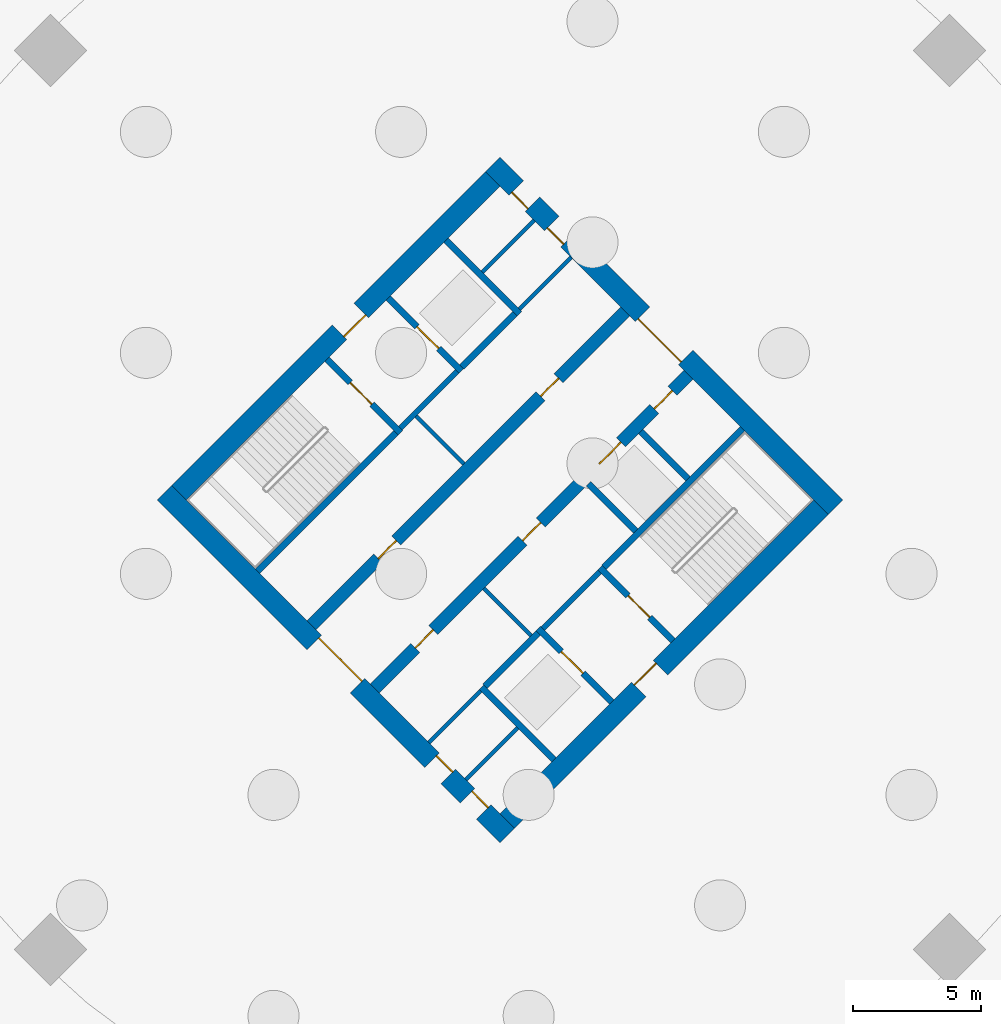
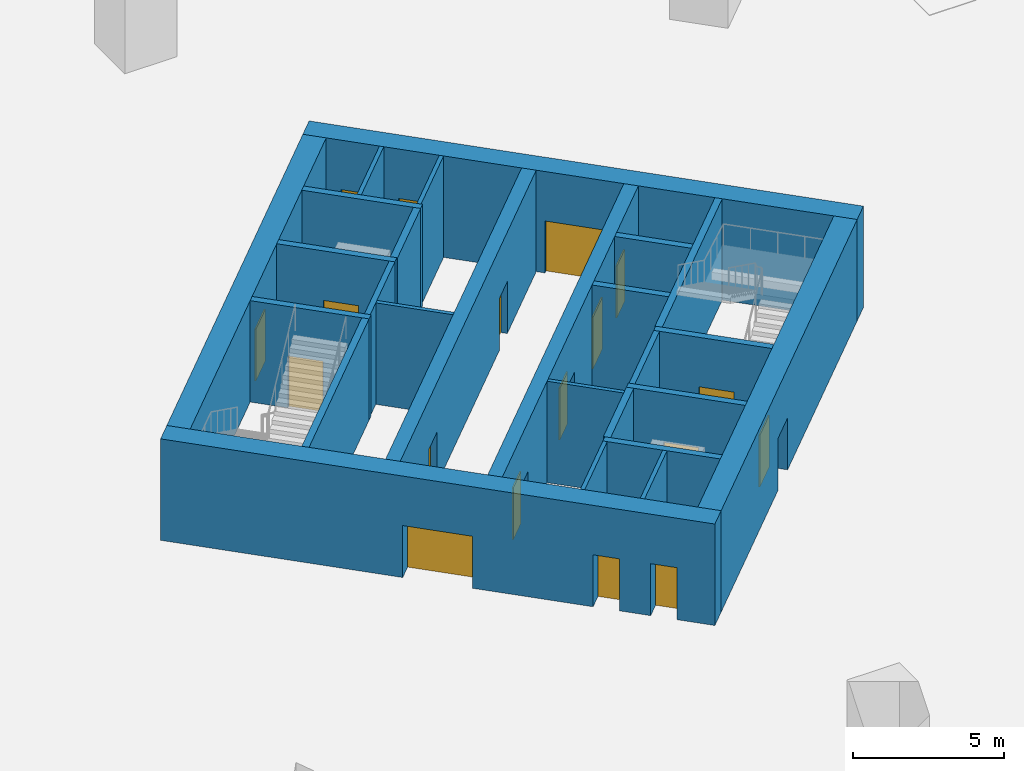
# One storey, part 18 of 39: 26 walls, 18 doors, 18 openings.
"""IFC4 building model written with IfcOpenShell, lengths in metres."""

from ifc_helpers import new_model, si_unit, direction, frame, frame_2d, origin, place, context, subcontext, project, spatial, rectangle, extrude, material, layer, layer_set, type_object, element, fill, save


model = new_model("IFC4")

# Units and contexts
model_context = context("Model", 3, precision=1e-05, world=origin(), true_north=direction((0.0, 1.0)))
body_context = subcontext(model_context, "Body", "Model", "MODEL_VIEW")
ifc_project = project(units=[si_unit("LENGTHUNIT", "METRE"), si_unit("AREAUNIT", "SQUARE_METRE"), si_unit("VOLUMEUNIT", "CUBIC_METRE"), si_unit("PLANEANGLEUNIT", "RADIAN"), si_unit("MASSUNIT", "GRAM", prefix="KILO")], contexts=[model_context])

# Site, building, storey
site_placement = place(None, origin())
site = spatial("IfcSite", under=ifc_project, at=site_placement, CompositionType="ELEMENT")
building_placement = place(site_placement, origin())
building = spatial("IfcBuilding", under=site, at=building_placement, Name="Ogive Gate Towers", CompositionType="ELEMENT")
storey_placement = place(building_placement, frame((0.0, 0.0, -9.0)))
storey = spatial("IfcBuildingStorey", under=building, at=storey_placement, Name="B2", CompositionType="ELEMENT", Elevation=-9.0)

# Walls
ifc_material_1 = material(Name="Masonry blockwork", Category="masonry")
ifc_layer_1 = layer(ifc_material_1, 0.199951171875)
ifc_layer_set_1 = layer_set([ifc_layer_1], Name="Blockwork wall 200 mm")
wall_type_1 = type_object("IfcWallType", Name="Blockwork wall 200 mm", PredefinedType="PARTITIONING", material=ifc_layer_set_1)
for number, where, z_axis, x_axis, name in (
    (1, (37.679443359375, -5.0380859375, 0.0), (0.0, 0.0, 1.0), (0.707106781187, 0.707106781187, 0.0), "T2 B2 Blockwork wall 200 mm"),
    (2, (32.09326171875, 2.810791015625, 0.0), (0.0, 0.0, 1.0), (0.707106781187, 0.707106781187, 0.0), "T2 B2 Blockwork wall 200 mm"),
):
    element("IfcWall", number, at=place(storey_placement, frame(where, z_axis=z_axis, x_axis=x_axis)), inside=storey, type_object=wall_type_1, Name=name, PredefinedType="PARTITIONING", context=body_context, shape_type="SweptSolid", body=[
        extrude(rectangle(XDim=3.14990234375, YDim=0.199951171875, at=frame_2d((1.574951171875, 0.0))), origin(), (0.0, 0.0, 1.0), 4.10009765625),
    ])

# Wall, opening, door
ifc_material_2 = material(Name="Concrete C60/75", Category="concrete")
ifc_layer_2 = layer(ifc_material_2, 0.800048828125)
ifc_layer_set_2 = layer_set([ifc_layer_2], Name="Core wall 800 mm")
wall_type_2 = type_object("IfcWallType", Name="Core wall 800 mm", PredefinedType="SHEAR", material=ifc_layer_set_2)
wall_1_placement = place(storey_placement, frame((36.28271484375, -12.58642578125, 0.0), z_axis=(0.0, 0.0, 1.0), x_axis=(0.707106781187, 0.707106781187, 0.0)))
wall_1 = element("IfcWall", 3, at=wall_1_placement, inside=storey, type_object=wall_type_2, Name="T2 B2 Core wall 800 mm", PredefinedType="SHEAR", context=body_context, shape_type="SweptSolid", body=[
    extrude(rectangle(XDim=17.400146484375, YDim=0.800048828125, at=frame_2d((8.7001953125, 0.0))), origin(), (0.0, 0.0, 1.0), 4.10009765625),
])
opening_1_placement = place(wall_1_placement, frame((7.300048828125, 0.0, 0.0)))
opening_1 = element("IfcOpeningElement", 4, at=opening_1_placement, cuts=wall_1, Name="Opening KD-T2-B2-14", PredefinedType="OPENING", context=body_context, shape_type="SweptSolid", body=[
    extrude(rectangle(XDim=1.199951171875, YDim=2.10009765625, at=frame_2d((0.60009765625, 1.050048828125))), frame((0.0, 0.41015625, 0.0), z_axis=(0.0, -1.0, 0.0), x_axis=(1.0, 0.0, 0.0)), (0.0, 0.0, 1.0), 0.820068359375),
])
ifc_material_3 = material(Name="Steel fire door", Category="steel")
door_type_1 = type_object("IfcDoorType", Name="Core door FD60S 1200 x 2100", OperationType="NOTDEFINED", PredefinedType="DOOR", material=ifc_material_3)
door_1_placement = place(opening_1_placement, origin())
door_1 = element("IfcDoor", 5, at=door_1_placement, inside=storey, type_object=door_type_1, Name="T2 B2 Fire-fighting lobby door", OperationType="SINGLE_SWING_LEFT", OverallHeight=2.10009765625, OverallWidth=1.199951171875, PredefinedType="DOOR", context=body_context, shape_type="SweptSolid", body=[
    extrude(rectangle(XDim=1.199951171875, YDim=2.10009765625, at=frame_2d((0.60009765625, 1.050048828125))), frame((0.0, 0.27490234375, 0.0), z_axis=(0.0, -1.0, 0.0), x_axis=(1.0, 0.0, 0.0)), (0.0, 0.0, 1.0), 0.050048828125),
])
fill(opening_1, door_1)

wall_2_placement = place(storey_placement, frame((23.41357421875, 0.28271484375, 0.0), z_axis=(0.0, 0.0, 1.0), x_axis=(0.707106781187, 0.707106781187, 0.0)))
wall_2 = element("IfcWall", 6, at=wall_2_placement, inside=storey, type_object=wall_type_2, Name="T2 B2 Core wall 800 mm", PredefinedType="SHEAR", context=body_context, shape_type="SweptSolid", body=[
    extrude(rectangle(XDim=17.400146484375, YDim=0.800048828125, at=frame_2d((8.7001953125, 0.0))), origin(), (0.0, 0.0, 1.0), 4.10009765625),
])
opening_2_placement = place(wall_2_placement, frame((8.89990234375, 0.0, 0.0)))
opening_2 = element("IfcOpeningElement", 7, at=opening_2_placement, cuts=wall_2, Name="Opening KD-T2-B2-13", PredefinedType="OPENING", context=body_context, shape_type="SweptSolid", body=[
    extrude(rectangle(XDim=1.199951171875, YDim=2.10009765625, at=frame_2d((0.60009765625, 1.050048828125))), frame((0.0, 0.41015625, 0.0), z_axis=(0.0, -1.0, 0.0), x_axis=(1.0, 0.0, 0.0)), (0.0, 0.0, 1.0), 0.820068359375),
])
door_2_placement = place(opening_2_placement, origin())
door_2 = element("IfcDoor", 8, at=door_2_placement, inside=storey, type_object=door_type_1, Name="T2 B2 Fire-fighting lobby door", OperationType="SINGLE_SWING_RIGHT", OverallHeight=2.10009765625, OverallWidth=1.199951171875, PredefinedType="DOOR", context=body_context, shape_type="SweptSolid", body=[
    extrude(rectangle(XDim=1.199951171875, YDim=2.10009765625, at=frame_2d((0.60009765625, 1.050048828125))), frame((0.0, -0.22509765625, 0.0), z_axis=(0.0, -1.0, 0.0), x_axis=(1.0, 0.0, 0.0)), (0.0, 0.0, 1.0), 0.050048828125),
])
fill(opening_2, door_2)

# Wall, openings, doors
wall_3_placement = place(storey_placement, frame((36.28271484375, -13.152099609375, 0.0), z_axis=(0.0, 0.0, 1.0), x_axis=(-0.707106781187, 0.707106781187, 0.0)))
wall_3 = element("IfcWall", 9, at=wall_3_placement, inside=storey, type_object=wall_type_2, Name="T2 B2 Core wall 800 mm", PredefinedType="SHEAR", context=body_context, shape_type="SweptSolid", body=[
    extrude(rectangle(XDim=18.999755859375, YDim=0.800048828125, at=frame_2d((9.5, 0.0))), origin(), (0.0, 0.0, 1.0), 4.10009765625),
])
opening_3_placement = place(wall_3_placement, frame((8.300048828125, 0.0, 0.0)))
opening_3 = element("IfcOpeningElement", 10, at=opening_3_placement, cuts=wall_3, Name="Opening KD-T2-B2-01", PredefinedType="OPENING", context=body_context, shape_type="SweptSolid", body=[
    extrude(rectangle(XDim=2.39990234375, YDim=2.10009765625, at=frame_2d((1.199951171875, 1.050048828125))), frame((0.0, 0.41015625, 0.0), z_axis=(0.0, -1.0, 0.0), x_axis=(1.0, 0.0, 0.0)), (0.0, 0.0, 1.0), 0.820068359375),
])
opening_4_placement = place(wall_3_placement, frame((1.300048828125, 0.0, 0.0)))
opening_4 = element("IfcOpeningElement", 11, at=opening_4_placement, cuts=wall_3, Name="Opening KD-T2-B2-17", PredefinedType="OPENING", context=body_context, shape_type="SweptSolid", body=[
    extrude(rectangle(XDim=0.89990234375, YDim=2.10009765625, at=frame_2d((0.449951171875, 1.050048828125))), frame((0.0, 0.41015625, 0.0), z_axis=(0.0, -1.0, 0.0), x_axis=(1.0, 0.0, 0.0)), (0.0, 0.0, 1.0), 0.820068359375),
])
opening_5_placement = place(wall_3_placement, frame((3.27490234375, 0.0, 0.0)))
opening_5 = element("IfcOpeningElement", 12, at=opening_5_placement, cuts=wall_3, Name="Opening KD-T2-B2-18", PredefinedType="OPENING", context=body_context, shape_type="SweptSolid", body=[
    extrude(rectangle(XDim=0.89990234375, YDim=2.10009765625, at=frame_2d((0.449951171875, 1.050048828125))), frame((0.0, 0.41015625, 0.0), z_axis=(0.0, -1.0, 0.0), x_axis=(1.0, 0.0, 0.0)), (0.0, 0.0, 1.0), 0.820068359375),
])
door_type_2 = type_object("IfcDoorType", Name="Core door FD60S 900 x 2100", OperationType="NOTDEFINED", PredefinedType="DOOR", material=ifc_material_3)
door_3_placement = place(opening_4_placement, origin())
door_3 = element("IfcDoor", 13, at=door_3_placement, inside=storey, type_object=door_type_2, Name="T2 B2 Core door", OperationType="SINGLE_SWING_RIGHT", OverallHeight=2.10009765625, OverallWidth=0.89990234375, PredefinedType="DOOR", context=body_context, shape_type="SweptSolid", body=[
    extrude(rectangle(XDim=0.89990234375, YDim=2.10009765625, at=frame_2d((0.449951171875, 1.050048828125))), frame((0.0, -0.22509765625, 0.0), z_axis=(0.0, -1.0, 0.0), x_axis=(1.0, 0.0, 0.0)), (0.0, 0.0, 1.0), 0.050048828125),
])
fill(opening_4, door_3)
door_4_placement = place(opening_5_placement, origin())
door_4 = element("IfcDoor", 14, at=door_4_placement, inside=storey, type_object=door_type_2, Name="T2 B2 Core door", OperationType="SINGLE_SWING_LEFT", OverallHeight=2.10009765625, OverallWidth=0.89990234375, PredefinedType="DOOR", context=body_context, shape_type="SweptSolid", body=[
    extrude(rectangle(XDim=0.89990234375, YDim=2.10009765625, at=frame_2d((0.449951171875, 1.050048828125))), frame((0.0, -0.22509765625, 0.0), z_axis=(0.0, -1.0, 0.0), x_axis=(1.0, 0.0, 0.0)), (0.0, 0.0, 1.0), 0.050048828125),
])
fill(opening_5, door_4)
door_type_3 = type_object("IfcDoorType", Name="Core double door FD60S 2400 x 2100", OperationType="DOUBLE_DOOR_SINGLE_SWING", PredefinedType="DOOR", material=ifc_material_3)
door_5_placement = place(opening_3_placement, origin())
door_5 = element("IfcDoor", 15, at=door_5_placement, inside=storey, type_object=door_type_3, Name="T2 B2 Core door double", OperationType="DOUBLE_DOOR_SINGLE_SWING", OverallHeight=2.10009765625, OverallWidth=2.39990234375, PredefinedType="DOOR", context=body_context, shape_type="SweptSolid", body=[
    extrude(rectangle(XDim=2.39990234375, YDim=2.10009765625, at=frame_2d((1.199951171875, 1.050048828125))), frame((0.0, -0.22509765625, 0.0), z_axis=(0.0, -1.0, 0.0), x_axis=(1.0, 0.0, 0.0)), (0.0, 0.0, 1.0), 0.050048828125),
])
fill(opening_3, door_5)

wall_4_placement = place(storey_placement, frame((49.152099609375, -0.28271484375, 0.0), z_axis=(0.0, 0.0, 1.0), x_axis=(-0.707106781187, 0.707106781187, 0.0)))
wall_4 = element("IfcWall", 16, at=wall_4_placement, inside=storey, type_object=wall_type_2, Name="T2 B2 Core wall 800 mm", PredefinedType="SHEAR", context=body_context, shape_type="SweptSolid", body=[
    extrude(rectangle(XDim=18.999755859375, YDim=0.800048828125, at=frame_2d((9.5, 0.0))), origin(), (0.0, 0.0, 1.0), 4.10009765625),
])
opening_6_placement = place(wall_4_placement, frame((8.300048828125, 0.0, 0.0)))
opening_6 = element("IfcOpeningElement", 17, at=opening_6_placement, cuts=wall_4, Name="Opening KD-T2-B2-02", PredefinedType="OPENING", context=body_context, shape_type="SweptSolid", body=[
    extrude(rectangle(XDim=2.39990234375, YDim=2.10009765625, at=frame_2d((1.199951171875, 1.050048828125))), frame((0.0, 0.41015625, 0.0), z_axis=(0.0, -1.0, 0.0), x_axis=(1.0, 0.0, 0.0)), (0.0, 0.0, 1.0), 0.820068359375),
])
opening_7_placement = place(wall_4_placement, frame((14.824951171875, 0.0, 0.0)))
opening_7 = element("IfcOpeningElement", 18, at=opening_7_placement, cuts=wall_4, Name="Opening KD-T2-B2-15", PredefinedType="OPENING", context=body_context, shape_type="SweptSolid", body=[
    extrude(rectangle(XDim=0.89990234375, YDim=2.10009765625, at=frame_2d((0.449951171875, 1.050048828125))), frame((0.0, 0.41015625, 0.0), z_axis=(0.0, -1.0, 0.0), x_axis=(1.0, 0.0, 0.0)), (0.0, 0.0, 1.0), 0.820068359375),
])
opening_8_placement = place(wall_4_placement, frame((16.800048828125, 0.0, 0.0)))
opening_8 = element("IfcOpeningElement", 19, at=opening_8_placement, cuts=wall_4, Name="Opening KD-T2-B2-16", PredefinedType="OPENING", context=body_context, shape_type="SweptSolid", body=[
    extrude(rectangle(XDim=0.89990234375, YDim=2.10009765625, at=frame_2d((0.449951171875, 1.050048828125))), frame((0.0, 0.41015625, 0.0), z_axis=(0.0, -1.0, 0.0), x_axis=(1.0, 0.0, 0.0)), (0.0, 0.0, 1.0), 0.820068359375),
])
door_6_placement = place(opening_7_placement, origin())
door_6 = element("IfcDoor", 20, at=door_6_placement, inside=storey, type_object=door_type_2, Name="T2 B2 Core door", OperationType="SINGLE_SWING_RIGHT", OverallHeight=2.10009765625, OverallWidth=0.89990234375, PredefinedType="DOOR", context=body_context, shape_type="SweptSolid", body=[
    extrude(rectangle(XDim=0.89990234375, YDim=2.10009765625, at=frame_2d((0.449951171875, 1.050048828125))), frame((0.0, 0.27490234375, 0.0), z_axis=(0.0, -1.0, 0.0), x_axis=(1.0, 0.0, 0.0)), (0.0, 0.0, 1.0), 0.050048828125),
])
fill(opening_7, door_6)
door_7_placement = place(opening_8_placement, origin())
door_7 = element("IfcDoor", 21, at=door_7_placement, inside=storey, type_object=door_type_2, Name="T2 B2 Core door", OperationType="SINGLE_SWING_LEFT", OverallHeight=2.10009765625, OverallWidth=0.89990234375, PredefinedType="DOOR", context=body_context, shape_type="SweptSolid", body=[
    extrude(rectangle(XDim=0.89990234375, YDim=2.10009765625, at=frame_2d((0.449951171875, 1.050048828125))), frame((0.0, 0.27490234375, 0.0), z_axis=(0.0, -1.0, 0.0), x_axis=(1.0, 0.0, 0.0)), (0.0, 0.0, 1.0), 0.050048828125),
])
fill(opening_8, door_7)
door_8_placement = place(opening_6_placement, origin())
door_8 = element("IfcDoor", 22, at=door_8_placement, inside=storey, type_object=door_type_3, Name="T2 B2 Core door double", OperationType="DOUBLE_DOOR_SINGLE_SWING", OverallHeight=2.10009765625, OverallWidth=2.39990234375, PredefinedType="DOOR", context=body_context, shape_type="SweptSolid", body=[
    extrude(rectangle(XDim=2.39990234375, YDim=2.10009765625, at=frame_2d((1.199951171875, 1.050048828125))), frame((0.0, 0.27490234375, 0.0), z_axis=(0.0, -1.0, 0.0), x_axis=(1.0, 0.0, 0.0)), (0.0, 0.0, 1.0), 0.050048828125),
])
fill(opening_6, door_8)

# Walls
ifc_material_4 = material(Name="Gypsum board partition")
ifc_layer_3 = layer(ifc_material_4, 0.14990234375)
ifc_layer_set_3 = layer_set([ifc_layer_3], Name="Room partition 150 mm")
wall_type_3 = type_object("IfcWallType", Name="Room partition 150 mm", PredefinedType="PARTITIONING", material=ifc_layer_set_3)
for number, where, z_axis, x_axis, name in (
    (23, (34.656494140625, -10.960205078125, 0.0), (0.0, 0.0, 1.0), (0.707106781187, 0.707106781187, 0.0), "T2 B2 Room partition 150 mm"),
    (24, (33.206787109375, -9.510498046875, 0.0), (0.0, 0.0, 1.0), (0.707191693438, 0.707021858737, 0.0), "T2 B2 Room partition 150 mm"),
    (25, (36.760009765625, 7.477783203125, 0.0), (0.0, 0.0, 1.0), (0.707191693438, 0.707021858737, 0.0), "T2 B2 Room partition 150 mm"),
    (26, (35.310546875, 8.92724609375, 0.0), (0.0, 0.0, 1.0), (0.707106781187, 0.707106781187, 0.0), "T2 B2 Room partition 150 mm"),
):
    element("IfcWall", number, at=place(storey_placement, frame(where, z_axis=z_axis, x_axis=x_axis)), inside=storey, type_object=wall_type_3, Name=name, PredefinedType="PARTITIONING", context=body_context, shape_type="SweptSolid", body=[
        extrude(rectangle(XDim=2.875, YDim=0.14990234375, at=frame_2d((1.4375, 0.0))), origin(), (0.0, 0.0, 1.0), 4.10009765625),
    ])
wall_5_placement = place(storey_placement, frame((37.2197265625, -5.321044921875, 0.0), z_axis=(0.0, 0.0, 1.0), x_axis=(-0.707106781187, 0.707106781187, 0.0)))
element("IfcWall", 27, at=wall_5_placement, inside=storey, type_object=wall_type_3, Name="T2 B2 Room partition 150 mm", PredefinedType="PARTITIONING", context=body_context, shape_type="SweptSolid", body=[
    extrude(rectangle(XDim=2.625, YDim=0.14990234375, at=frame_2d((1.3125, 0.0))), origin(), (0.0, 0.0, 1.0), 4.10009765625),
])
wall_6_placement = place(storey_placement, frame((34.585693359375, 1.414306640625, 0.0), z_axis=(0.0, 0.0, 1.0), x_axis=(-0.707106781187, 0.707106781187, 0.0)))
element("IfcWall", 28, at=wall_6_placement, inside=storey, type_object=wall_type_3, Name="T2 B2 Room partition 150 mm", PredefinedType="PARTITIONING", context=body_context, shape_type="SweptSolid", body=[
    extrude(rectangle(XDim=2.64990234375, YDim=0.14990234375, at=frame_2d((1.324951171875, 0.0))), origin(), (0.0, 0.0, 1.0), 4.10009765625),
])
ifc_layer_4 = layer(ifc_material_2, 0.25)
ifc_layer_set_4 = layer_set([ifc_layer_4], Name="Shaft wall 250 mm")
wall_type_4 = type_object("IfcWallType", Name="Shaft wall 250 mm", PredefinedType="SHEAR", material=ifc_layer_set_4)
wall_7_placement = place(storey_placement, frame((35.41650390625, -7.30078125, 0.0), z_axis=(0.0, 0.0, 1.0), x_axis=(0.707148157867, 0.707065402085, 0.0)))
element("IfcWall", 29, at=wall_7_placement, inside=storey, type_object=wall_type_4, Name="T2 B2 Shaft wall 250 mm", PredefinedType="SHEAR", context=body_context, shape_type="SweptSolid", body=[
    extrude(rectangle(XDim=2.9501953125, YDim=0.25, at=frame_2d((1.47509765625, 0.0))), origin(), (0.0, 0.0, 1.0), 4.10009765625),
])
for number, where, z_axis, x_axis, name in (
    (30, (40.08349609375, -2.634033203125, 0.0), (0.0, 0.0, 1.0), (0.707090876314, 0.707122685701, 0.0), "T2 B2 Shaft wall 250 mm"),
    (31, (26.489501953125, -2.793212890625, 0.0), (0.0, 0.0, 1.0), (0.707090876314, 0.707122685701, 0.0), "T2 B2 Shaft wall 250 mm"),
):
    element("IfcWall", number, at=place(storey_placement, frame(where, z_axis=z_axis, x_axis=x_axis)), inside=storey, type_object=wall_type_4, Name=name, PredefinedType="SHEAR", context=body_context, shape_type="SweptSolid", body=[
        extrude(rectangle(XDim=7.675048828125, YDim=0.25, at=frame_2d((3.83740234375, 0.0))), origin(), (0.0, 0.0, 1.0), 4.10009765625),
    ])
wall_8_placement = place(storey_placement, frame((34.497314453125, 5.21484375, 0.0), z_axis=(0.0, 0.0, 1.0), x_axis=(0.707148157867, 0.707065402085, 0.0)))
element("IfcWall", 32, at=wall_8_placement, inside=storey, type_object=wall_type_4, Name="T2 B2 Shaft wall 250 mm", PredefinedType="SHEAR", context=body_context, shape_type="SweptSolid", body=[
    extrude(rectangle(XDim=2.9501953125, YDim=0.25, at=frame_2d((1.47509765625, 0.0))), origin(), (0.0, 0.0, 1.0), 4.10009765625),
])
wall_9_placement = place(storey_placement, frame((38.121337890625, -10.182373046875, 0.0), z_axis=(0.0, 0.0, 1.0), x_axis=(-0.707106781187, 0.707106781187, 0.0)))
element("IfcWall", 33, at=wall_9_placement, inside=storey, type_object=wall_type_4, Name="T2 B2 Shaft wall 250 mm", PredefinedType="SHEAR", context=body_context, shape_type="SweptSolid", body=[
    extrude(rectangle(XDim=4.025146484375, YDim=0.25, at=frame_2d((2.0126953125, 0.0))), origin(), (0.0, 0.0, 1.0), 4.10009765625),
])

# Wall, opening, door
wall_10_placement = place(storey_placement, frame((40.384033203125, -7.919677734375, 0.0), z_axis=(0.0, 0.0, 1.0), x_axis=(-0.707076824747, 0.707136736357, 0.0)))
wall_10 = element("IfcWall", 34, at=wall_10_placement, inside=storey, type_object=wall_type_4, Name="T2 B2 Shaft wall 250 mm", PredefinedType="SHEAR", context=body_context, shape_type="SweptSolid", body=[
    extrude(rectangle(XDim=4.074951171875, YDim=0.25, at=frame_2d((2.03759765625, 0.0))), origin(), (0.0, 0.0, 1.0), 4.10009765625),
])
opening_9_placement = place(wall_10_placement, frame((1.60009765625, 0.0, 0.0)))
opening_9 = element("IfcOpeningElement", 35, at=opening_9_placement, cuts=wall_10, Name="Opening LD-T2-B2-07", PredefinedType="OPENING", context=body_context, shape_type="SweptSolid", body=[
    extrude(rectangle(XDim=1.199951171875, YDim=2.10009765625, at=frame_2d((0.60009765625, 1.050048828125))), frame((0.0, 0.135009765625, 0.0), z_axis=(0.0, -1.0, 0.0), x_axis=(1.0, 0.0, 0.0)), (0.0, 0.0, 1.0), 0.27001953125),
])
ifc_material_5 = material(Name="Stainless steel landing door", Category="steel")
door_type_4 = type_object("IfcDoorType", Name="Landing door 1200 x 2100", OperationType="SLIDING_TO_LEFT", PredefinedType="DOOR", material=ifc_material_5)
door_9_placement = place(opening_9_placement, origin())
door_9 = element("IfcDoor", 36, at=door_9_placement, inside=storey, type_object=door_type_4, Name="T2 B2 Lift landing door FF2", OperationType="SLIDING_TO_LEFT", OverallHeight=2.10009765625, OverallWidth=1.199951171875, PredefinedType="DOOR", context=body_context, shape_type="SweptSolid", body=[
    extrude(rectangle(XDim=1.199951171875, YDim=2.10009765625, at=frame_2d((0.60009765625, 1.050048828125))), frame((0.0, 0.02490234375, 0.0), z_axis=(0.0, -1.0, 0.0), x_axis=(1.0, 0.0, 0.0)), (0.0, 0.0, 1.0), 0.050048828125),
])
fill(opening_9, door_9)

wall_11_placement = place(storey_placement, frame((32.09326171875, 2.634033203125, 0.0), z_axis=(0.0, 0.0, 1.0), x_axis=(-0.707106781187, 0.707106781187, 0.0)))
wall_11 = element("IfcWall", 37, at=wall_11_placement, inside=storey, type_object=wall_type_4, Name="T2 B2 Shaft wall 250 mm", PredefinedType="SHEAR", context=body_context, shape_type="SweptSolid", body=[
    extrude(rectangle(XDim=4.074951171875, YDim=0.25, at=frame_2d((2.03759765625, 0.0))), origin(), (0.0, 0.0, 1.0), 4.10009765625),
])
opening_10_placement = place(wall_11_placement, frame((1.574951171875, 0.0, 0.0)))
opening_10 = element("IfcOpeningElement", 38, at=opening_10_placement, cuts=wall_11, Name="Opening KD-T2-B2-11", PredefinedType="OPENING", context=body_context, shape_type="SweptSolid", body=[
    extrude(rectangle(XDim=1.199951171875, YDim=2.10009765625, at=frame_2d((0.60009765625, 1.050048828125))), frame((0.0, 0.135009765625, 0.0), z_axis=(0.0, -1.0, 0.0), x_axis=(1.0, 0.0, 0.0)), (0.0, 0.0, 1.0), 0.27001953125),
])
door_10_placement = place(opening_10_placement, origin())
door_10 = element("IfcDoor", 39, at=door_10_placement, inside=storey, type_object=door_type_1, Name="T2 B2 Stair door", OperationType="SINGLE_SWING_RIGHT", OverallHeight=2.10009765625, OverallWidth=1.199951171875, PredefinedType="DOOR", context=body_context, shape_type="SweptSolid", body=[
    extrude(rectangle(XDim=1.199951171875, YDim=2.10009765625, at=frame_2d((0.60009765625, 1.050048828125))), frame((0.0, 0.02490234375, 0.0), z_axis=(0.0, -1.0, 0.0), x_axis=(1.0, 0.0, 0.0)), (0.0, 0.0, 1.0), 0.050048828125),
])
fill(opening_10, door_10)

wall_12_placement = place(storey_placement, frame((42.7880859375, -5.515380859375, 0.0), z_axis=(0.0, 0.0, 1.0), x_axis=(-0.707106781187, 0.707106781187, 0.0)))
wall_12 = element("IfcWall", 40, at=wall_12_placement, inside=storey, type_object=wall_type_4, Name="T2 B2 Shaft wall 250 mm", PredefinedType="SHEAR", context=body_context, shape_type="SweptSolid", body=[
    extrude(rectangle(XDim=4.050048828125, YDim=0.25, at=frame_2d((2.02490234375, 0.0))), origin(), (0.0, 0.0, 1.0), 4.10009765625),
])
opening_11_placement = place(wall_12_placement, frame((1.300048828125, 0.0, 0.0)))
opening_11 = element("IfcOpeningElement", 41, at=opening_11_placement, cuts=wall_12, Name="Opening KD-T2-B2-12", PredefinedType="OPENING", context=body_context, shape_type="SweptSolid", body=[
    extrude(rectangle(XDim=1.199951171875, YDim=2.10009765625, at=frame_2d((0.60009765625, 1.050048828125))), frame((0.0, 0.135009765625, 0.0), z_axis=(0.0, -1.0, 0.0), x_axis=(1.0, 0.0, 0.0)), (0.0, 0.0, 1.0), 0.27001953125),
])
door_11_placement = place(opening_11_placement, origin())
door_11 = element("IfcDoor", 42, at=door_11_placement, inside=storey, type_object=door_type_1, Name="T2 B2 Stair door", OperationType="SINGLE_SWING_LEFT", OverallHeight=2.10009765625, OverallWidth=1.199951171875, PredefinedType="DOOR", context=body_context, shape_type="SweptSolid", body=[
    extrude(rectangle(XDim=1.199951171875, YDim=2.10009765625, at=frame_2d((0.60009765625, 1.050048828125))), frame((0.0, 0.02490234375, 0.0), z_axis=(0.0, -1.0, 0.0), x_axis=(1.0, 0.0, 0.0)), (0.0, 0.0, 1.0), 0.050048828125),
])
fill(opening_11, door_11)

wall_13_placement = place(storey_placement, frame((34.479736328125, 5.055908203125, 0.0), z_axis=(0.0, 0.0, 1.0), x_axis=(-0.707106781187, 0.707106781187, 0.0)))
wall_13 = element("IfcWall", 43, at=wall_13_placement, inside=storey, type_object=wall_type_4, Name="T2 B2 Shaft wall 250 mm", PredefinedType="SHEAR", context=body_context, shape_type="SweptSolid", body=[
    extrude(rectangle(XDim=4.050048828125, YDim=0.25, at=frame_2d((2.02490234375, 0.0))), origin(), (0.0, 0.0, 1.0), 4.10009765625),
])
opening_12_placement = place(wall_13_placement, frame((1.25, 0.0, 0.0)))
opening_12 = element("IfcOpeningElement", 44, at=opening_12_placement, cuts=wall_13, Name="Opening LD-T2-B2-06", PredefinedType="OPENING", context=body_context, shape_type="SweptSolid", body=[
    extrude(rectangle(XDim=1.199951171875, YDim=2.10009765625, at=frame_2d((0.60009765625, 1.050048828125))), frame((0.0, 0.135009765625, 0.0), z_axis=(0.0, -1.0, 0.0), x_axis=(1.0, 0.0, 0.0)), (0.0, 0.0, 1.0), 0.27001953125),
])
door_12_placement = place(opening_12_placement, origin())
door_12 = element("IfcDoor", 45, at=door_12_placement, inside=storey, type_object=door_type_4, Name="T2 B2 Lift landing door FF1", OperationType="SLIDING_TO_LEFT", OverallHeight=2.10009765625, OverallWidth=1.199951171875, PredefinedType="DOOR", context=body_context, shape_type="SweptSolid", body=[
    extrude(rectangle(XDim=1.199951171875, YDim=2.10009765625, at=frame_2d((0.60009765625, 1.050048828125))), frame((0.0, 0.02490234375, 0.0), z_axis=(0.0, -1.0, 0.0), x_axis=(1.0, 0.0, 0.0)), (0.0, 0.0, 1.0), 0.050048828125),
])
fill(opening_12, door_12)

# Walls
wall_14_placement = place(storey_placement, frame((41.321044921875, -1.2197265625, 0.0), z_axis=(0.0, 0.0, 1.0), x_axis=(-0.707106781187, 0.707106781187, 0.0)))
element("IfcWall", 46, at=wall_14_placement, inside=storey, type_object=wall_type_4, Name="T2 B2 Shaft wall 250 mm", PredefinedType="SHEAR", context=body_context, shape_type="SweptSolid", body=[
    extrude(rectangle(XDim=2.625, YDim=0.25, at=frame_2d((1.3125, 0.0))), origin(), (0.0, 0.0, 1.0), 4.10009765625),
])
wall_15_placement = place(storey_placement, frame((36.760009765625, 7.30078125, 0.0), z_axis=(0.0, 0.0, 1.0), x_axis=(-0.707076824747, 0.707136736357, 0.0)))
element("IfcWall", 47, at=wall_15_placement, inside=storey, type_object=wall_type_4, Name="T2 B2 Shaft wall 250 mm", PredefinedType="SHEAR", context=body_context, shape_type="SweptSolid", body=[
    extrude(rectangle(XDim=4.074951171875, YDim=0.25, at=frame_2d((2.03759765625, 0.0))), origin(), (0.0, 0.0, 1.0), 4.10009765625),
])
wall_16_placement = place(storey_placement, frame((43.37158203125, 0.830810546875, 0.0), z_axis=(0.0, 0.0, 1.0), x_axis=(-0.707106781187, 0.707106781187, 0.0)))
element("IfcWall", 48, at=wall_16_placement, inside=storey, type_object=wall_type_4, Name="T2 B2 Shaft wall 250 mm", PredefinedType="SHEAR", context=body_context, shape_type="SweptSolid", body=[
    extrude(rectangle(XDim=2.625, YDim=0.25, at=frame_2d((1.3125, 0.0))), origin(), (0.0, 0.0, 1.0), 4.10009765625),
])

# Wall, openings, doors
ifc_layer_5 = layer(ifc_material_2, 0.5)
ifc_layer_set_5 = layer_set([ifc_layer_5], Name="Spine wall 500 mm")
wall_type_5 = type_object("IfcWallType", Name="Spine wall 500 mm", PredefinedType="SHEAR", material=ifc_layer_set_5)
wall_17_placement = place(storey_placement, frame((31.085693359375, -7.389404296875, 0.0), z_axis=(0.0, 0.0, 1.0), x_axis=(0.707106781187, 0.707106781187, 0.0)))
wall_17 = element("IfcWall", 49, at=wall_17_placement, inside=storey, type_object=wall_type_5, Name="T2 B2 Spine wall 500 mm", PredefinedType="SHEAR", context=body_context, shape_type="SweptSolid", body=[
    extrude(rectangle(XDim=17.400146484375, YDim=0.5, at=frame_2d((8.7001953125, 0.0))), origin(), (0.0, 0.0, 1.0), 4.10009765625),
])
opening_13_placement = place(wall_17_placement, frame((12.449951171875, 0.0, 0.0)))
opening_13 = element("IfcOpeningElement", 50, at=opening_13_placement, cuts=wall_17, Name="Opening LD-T2-B2-05", PredefinedType="OPENING", context=body_context, shape_type="SweptSolid", body=[
    extrude(rectangle(XDim=1.199951171875, YDim=2.10009765625, at=frame_2d((0.60009765625, 1.050048828125))), frame((0.0, 0.260009765625, 0.0), z_axis=(0.0, -1.0, 0.0), x_axis=(1.0, 0.0, 0.0)), (0.0, 0.0, 1.0), 0.52001953125),
])
opening_14_placement = place(wall_17_placement, frame((2.25, 0.0, 0.0)))
opening_14 = element("IfcOpeningElement", 51, at=opening_14_placement, cuts=wall_17, Name="Opening KD-T2-B2-08", PredefinedType="OPENING", context=body_context, shape_type="SweptSolid", body=[
    extrude(rectangle(XDim=1.0, YDim=2.10009765625, at=frame_2d((0.5, 1.050048828125))), frame((0.0, 0.260009765625, 0.0), z_axis=(0.0, -1.0, 0.0), x_axis=(1.0, 0.0, 0.0)), (0.0, 0.0, 1.0), 0.52001953125),
])
opening_15_placement = place(wall_17_placement, frame((8.199951171875, 0.0, 0.0)))
opening_15 = element("IfcOpeningElement", 52, at=opening_15_placement, cuts=wall_17, Name="Opening KD-T2-B2-09", PredefinedType="OPENING", context=body_context, shape_type="SweptSolid", body=[
    extrude(rectangle(XDim=1.0, YDim=2.10009765625, at=frame_2d((0.5, 1.050048828125))), frame((0.0, 0.260009765625, 0.0), z_axis=(0.0, -1.0, 0.0), x_axis=(1.0, 0.0, 0.0)), (0.0, 0.0, 1.0), 0.52001953125),
])
opening_16_placement = place(wall_17_placement, frame((15.5, 0.0, 0.0)))
opening_16 = element("IfcOpeningElement", 53, at=opening_16_placement, cuts=wall_17, Name="Opening KD-T2-B2-10", PredefinedType="OPENING", context=body_context, shape_type="SweptSolid", body=[
    extrude(rectangle(XDim=1.0, YDim=2.10009765625, at=frame_2d((0.5, 1.050048828125))), frame((0.0, 0.260009765625, 0.0), z_axis=(0.0, -1.0, 0.0), x_axis=(1.0, 0.0, 0.0)), (0.0, 0.0, 1.0), 0.52001953125),
])
door_type_5 = type_object("IfcDoorType", Name="Core door FD60S 1000 x 2100", OperationType="NOTDEFINED", PredefinedType="DOOR", material=ifc_material_3)
door_13_placement = place(opening_14_placement, origin())
door_13 = element("IfcDoor", 54, at=door_13_placement, inside=storey, type_object=door_type_5, Name="T2 B2 Core door", OperationType="SINGLE_SWING_LEFT", OverallHeight=2.10009765625, OverallWidth=1.0, PredefinedType="DOOR", context=body_context, shape_type="SweptSolid", body=[
    extrude(rectangle(XDim=1.0, YDim=2.10009765625, at=frame_2d((0.5, 1.050048828125))), frame((0.0, 0.02490234375, 0.0), z_axis=(0.0, -1.0, 0.0), x_axis=(1.0, 0.0, 0.0)), (0.0, 0.0, 1.0), 0.050048828125),
])
fill(opening_14, door_13)
door_14_placement = place(opening_15_placement, origin())
door_14 = element("IfcDoor", 55, at=door_14_placement, inside=storey, type_object=door_type_5, Name="T2 B2 Core door", OperationType="SINGLE_SWING_RIGHT", OverallHeight=2.10009765625, OverallWidth=1.0, PredefinedType="DOOR", context=body_context, shape_type="SweptSolid", body=[
    extrude(rectangle(XDim=1.0, YDim=2.10009765625, at=frame_2d((0.5, 1.050048828125))), frame((0.0, 0.02490234375, 0.0), z_axis=(0.0, -1.0, 0.0), x_axis=(1.0, 0.0, 0.0)), (0.0, 0.0, 1.0), 0.050048828125),
])
fill(opening_15, door_14)
door_15_placement = place(opening_16_placement, origin())
door_15 = element("IfcDoor", 56, at=door_15_placement, inside=storey, type_object=door_type_5, Name="T2 B2 Core door", OperationType="SINGLE_SWING_LEFT", OverallHeight=2.10009765625, OverallWidth=1.0, PredefinedType="DOOR", context=body_context, shape_type="SweptSolid", body=[
    extrude(rectangle(XDim=1.0, YDim=2.10009765625, at=frame_2d((0.5, 1.050048828125))), frame((0.0, 0.02490234375, 0.0), z_axis=(0.0, -1.0, 0.0), x_axis=(1.0, 0.0, 0.0)), (0.0, 0.0, 1.0), 0.050048828125),
])
fill(opening_16, door_15)
door_16_placement = place(opening_13_placement, origin())
door_16 = element("IfcDoor", 57, at=door_16_placement, inside=storey, type_object=door_type_4, Name="T2 B2 Lift landing door SVC", OperationType="SLIDING_TO_LEFT", OverallHeight=2.10009765625, OverallWidth=1.199951171875, PredefinedType="DOOR", context=body_context, shape_type="SweptSolid", body=[
    extrude(rectangle(XDim=1.199951171875, YDim=2.10009765625, at=frame_2d((0.60009765625, 1.050048828125))), frame((0.0, 0.02490234375, 0.0), z_axis=(0.0, -1.0, 0.0), x_axis=(1.0, 0.0, 0.0)), (0.0, 0.0, 1.0), 0.050048828125),
])
fill(opening_13, door_16)

wall_18_placement = place(storey_placement, frame((28.610595703125, -4.914306640625, 0.0), z_axis=(0.0, 0.0, 1.0), x_axis=(0.707106781187, 0.707106781187, 0.0)))
wall_18 = element("IfcWall", 58, at=wall_18_placement, inside=storey, type_object=wall_type_5, Name="T2 B2 Spine wall 500 mm", PredefinedType="SHEAR", context=body_context, shape_type="SweptSolid", body=[
    extrude(rectangle(XDim=17.400146484375, YDim=0.5, at=frame_2d((8.7001953125, 0.0))), origin(), (0.0, 0.0, 1.0), 4.10009765625),
])
opening_17_placement = place(wall_18_placement, frame((3.699951171875, 0.0, 0.0)))
opening_17 = element("IfcOpeningElement", 59, at=opening_17_placement, cuts=wall_18, Name="Opening KD-T2-B2-03", PredefinedType="OPENING", context=body_context, shape_type="SweptSolid", body=[
    extrude(rectangle(XDim=1.0, YDim=2.10009765625, at=frame_2d((0.5, 1.050048828125))), frame((0.0, 0.260009765625, 0.0), z_axis=(0.0, -1.0, 0.0), x_axis=(1.0, 0.0, 0.0)), (0.0, 0.0, 1.0), 0.52001953125),
])
opening_18_placement = place(wall_18_placement, frame((12.699951171875, 0.0, 0.0)))
opening_18 = element("IfcOpeningElement", 60, at=opening_18_placement, cuts=wall_18, Name="Opening KD-T2-B2-04", PredefinedType="OPENING", context=body_context, shape_type="SweptSolid", body=[
    extrude(rectangle(XDim=1.0, YDim=2.10009765625, at=frame_2d((0.5, 1.050048828125))), frame((0.0, 0.260009765625, 0.0), z_axis=(0.0, -1.0, 0.0), x_axis=(1.0, 0.0, 0.0)), (0.0, 0.0, 1.0), 0.52001953125),
])
door_17_placement = place(opening_17_placement, origin())
door_17 = element("IfcDoor", 61, at=door_17_placement, inside=storey, type_object=door_type_5, Name="T2 B2 Core door", OperationType="SINGLE_SWING_RIGHT", OverallHeight=2.10009765625, OverallWidth=1.0, PredefinedType="DOOR", context=body_context, shape_type="SweptSolid", body=[
    extrude(rectangle(XDim=1.0, YDim=2.10009765625, at=frame_2d((0.5, 1.050048828125))), frame((0.0, 0.02490234375, 0.0), z_axis=(0.0, -1.0, 0.0), x_axis=(1.0, 0.0, 0.0)), (0.0, 0.0, 1.0), 0.050048828125),
])
fill(opening_17, door_17)
door_18_placement = place(opening_18_placement, origin())
door_18 = element("IfcDoor", 62, at=door_18_placement, inside=storey, type_object=door_type_5, Name="T2 B2 Core door", OperationType="SINGLE_SWING_LEFT", OverallHeight=2.10009765625, OverallWidth=1.0, PredefinedType="DOOR", context=body_context, shape_type="SweptSolid", body=[
    extrude(rectangle(XDim=1.0, YDim=2.10009765625, at=frame_2d((0.5, 1.050048828125))), frame((0.0, 0.02490234375, 0.0), z_axis=(0.0, -1.0, 0.0), x_axis=(1.0, 0.0, 0.0)), (0.0, 0.0, 1.0), 0.050048828125),
])
fill(opening_18, door_18)

save(model, "model.ifc")
